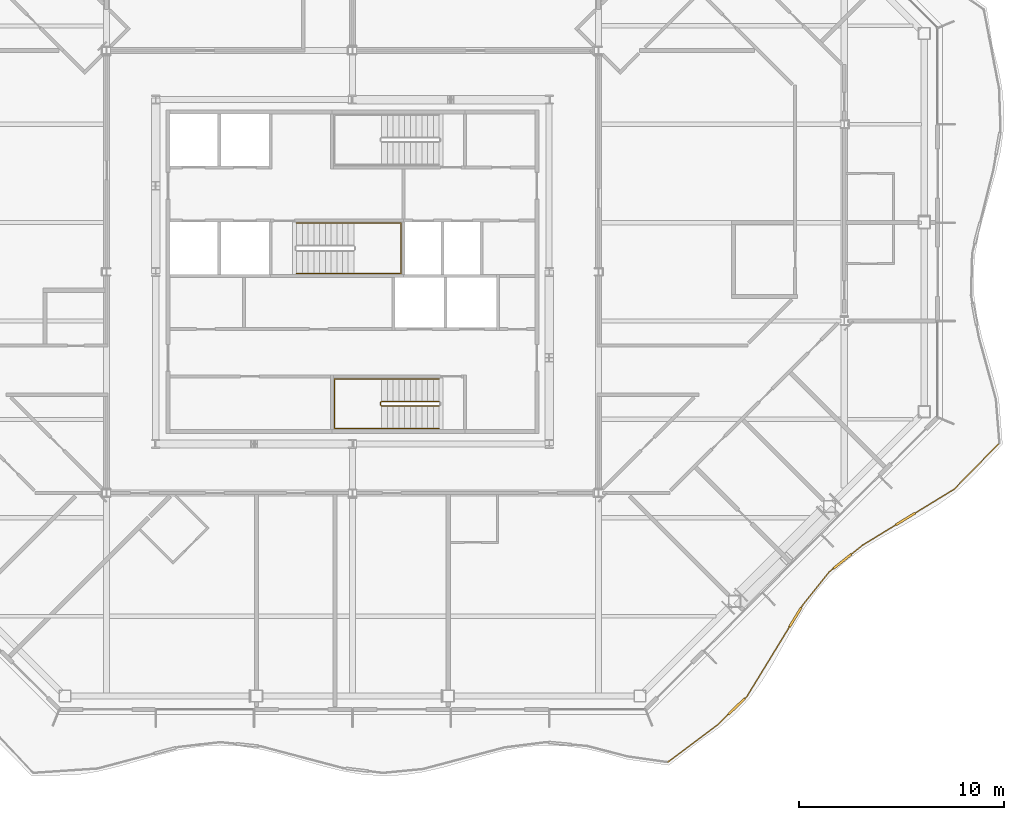
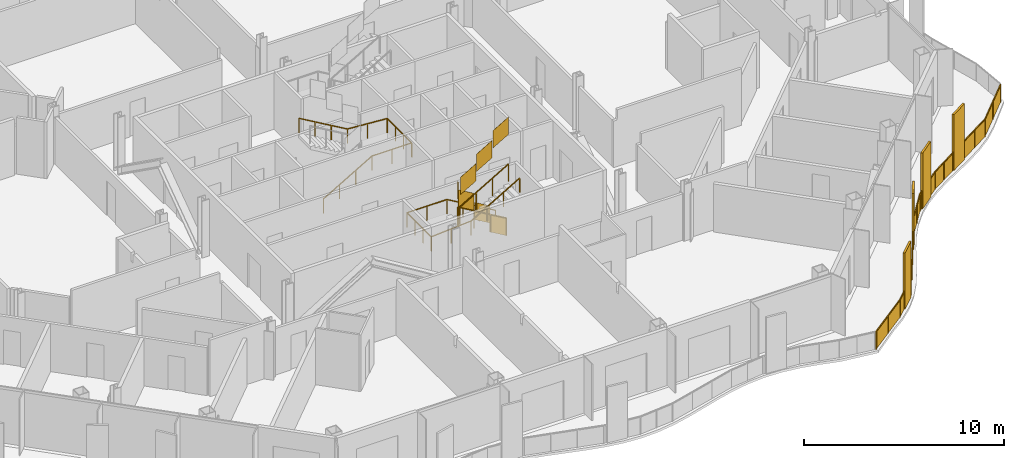
# One storey, part 18 of 21: 4 railings.
"""IFC4 building model written with IfcOpenShell, lengths in metres."""

import ifcopenshell
import ifcopenshell.guid

model = None  # the IFC model being written
_history = None  # IfcOwnerHistory: only IFC2X3 demands one
_inside = {}  # id of a spatial element -> (the spatial element, [elements in it])
_under = {}  # id of a project, library or spatial element -> (it, [spatial elements below it])
_declared = {}  # id of a project -> (the project, [libraries it declares])
_typed = {}  # id of a type object -> (the type object, [elements of that type])
_made_of = {}  # id of a material, layer set ... -> (it, [elements and type objects made of it])


def new_model(schema):
    """Start an empty IFC model of exactly this schema.

    Asked for "IFC4X3", IfcOpenShell would pick the latest addendum, in which some entities
    have other attributes; the version numbers below select the first issue.
    IFC2X3 requires an IfcOwnerHistory on every rooted entity: one is made here for all.
    """
    global model, _history
    if schema == "IFC4X3":
        model = ifcopenshell.file(schema_version=(4, 3, 0, 0))
    else:
        model = ifcopenshell.file(schema=schema)
    _inside.clear()
    _under.clear()
    _declared.clear()
    _typed.clear()
    _made_of.clear()
    _history = None
    if model.schema == "IFC2X3":
        org = make("IfcOrganization", Name="unknown")
        user = make(
            "IfcPersonAndOrganization",
            ThePerson=make("IfcPerson", FamilyName="unknown"),
            TheOrganization=org,
        )
        app = make(
            "IfcApplication",
            ApplicationDeveloper=org,
            Version="unknown",
            ApplicationFullName="unknown",
            ApplicationIdentifier="unknown",
        )
        _history = make(
            "IfcOwnerHistory",
            OwningUser=user,
            OwningApplication=app,
            ChangeAction="ADDED",
            CreationDate=0,
        )
    return model


def make(cls, **values):
    """One entity of the class cls with the attributes given. An attribute that is None is left unset."""
    return model.create_entity(
        cls, **{name: value for name, value in values.items() if value is not None}
    )


def rooted(cls, **values):
    """An entity with a GlobalId (a new one), such as an element, a storey or a relation."""
    return make(cls, GlobalId=ifcopenshell.guid.new(), OwnerHistory=_history, **values)


def si_unit(unit_type, name, prefix=None):
    """IfcSIUnit, for example si_unit("LENGTHUNIT", "METRE", prefix="MILLI")."""
    return make("IfcSIUnit", UnitType=unit_type, Prefix=prefix, Name=name)


def assignment(units):
    """IfcUnitAssignment: the units of a project."""
    return None if units is None else make("IfcUnitAssignment", Units=units)


def point(xyz):
    """IfcCartesianPoint."""
    return None if xyz is None else make("IfcCartesianPoint", Coordinates=xyz)


def direction(xyz):
    """IfcDirection."""
    return None if xyz is None else make("IfcDirection", DirectionRatios=xyz)


def frame(location, z_axis=None, x_axis=None):
    """IfcAxis2Placement3D, a coordinate frame: its origin and axes. An axis left out is left unset."""
    return make(
        "IfcAxis2Placement3D",
        Location=point(location),
        Axis=direction(z_axis),
        RefDirection=direction(x_axis),
    )


def frame_2d(location, x_axis=None):
    """IfcAxis2Placement2D, a coordinate frame in the plane: its origin and x axis."""
    return make(
        "IfcAxis2Placement2D", Location=point(location), RefDirection=direction(x_axis)
    )


def origin():
    """The frame at (0, 0, 0) with its axes left unset."""
    return frame((0.0, 0.0, 0.0))


def origin_2d():
    """The frame at (0, 0) in the plane with its x axis left unset."""
    return frame_2d((0.0, 0.0))


def place(relative_to, where):
    """IfcLocalPlacement: puts the frame where relative to a parent placement (None: the world)."""
    return make(
        "IfcLocalPlacement", PlacementRelTo=relative_to, RelativePlacement=where
    )


def context(
    kind, dimensions, precision=None, world=None, true_north=None, identifier=None
):
    """IfcGeometricRepresentationContext, for example the 3D "Model" context."""
    return make(
        "IfcGeometricRepresentationContext",
        ContextIdentifier=identifier,
        ContextType=kind,
        CoordinateSpaceDimension=dimensions,
        Precision=precision,
        WorldCoordinateSystem=world,
        TrueNorth=true_north,
    )


def subcontext(parent, identifier, kind, view, scale=None):
    """IfcGeometricRepresentationSubContext, for example "Body" below "Model"."""
    return make(
        "IfcGeometricRepresentationSubContext",
        ContextIdentifier=identifier,
        ContextType=kind,
        ParentContext=parent,
        TargetScale=scale,
        TargetView=view,
    )


def project(units=None, contexts=None):
    """IfcProject with its units and contexts."""
    return rooted(
        "IfcProject",
        Name="project",
        RepresentationContexts=contexts,
        UnitsInContext=assignment(units),
    )


def spatial(cls, under=None, at=None, **own):
    """A site, building, storey or space (cls), placed at a placement, below another one or the project."""
    s = rooted(cls, ObjectPlacement=at, **own)
    if under is not None:
        _under.setdefault(under.id(), (under, []))[1].append(s)
    return s


def polyline(points):
    """IfcPolyline through the points."""
    return make("IfcPolyline", Points=[point(p) for p in points])


def profile(cls, at=None, kind="AREA", **sizes):
    """A parametric profile (cls). Its sizes go by their IFC names, for example OverallWidth=200.0."""
    return make(cls, ProfileType=kind, Position=at, **sizes)


def rectangle(**sizes):
    """IfcRectangleProfileDef."""
    return profile("IfcRectangleProfileDef", **sizes)


def outline(outer, holes=None, kind="AREA"):
    """IfcArbitraryClosedProfileDef: a profile drawn as a closed curve; with holes, ...WithVoids."""
    if holes is None:
        return make("IfcArbitraryClosedProfileDef", ProfileType=kind, OuterCurve=outer)
    return make(
        "IfcArbitraryProfileDefWithVoids",
        ProfileType=kind,
        OuterCurve=outer,
        InnerCurves=holes,
    )


def extrude(swept, where, along, depth):
    """IfcExtrudedAreaSolid: the profile swept, set in the frame where, extruded along a direction by depth."""
    return make(
        "IfcExtrudedAreaSolid",
        SweptArea=swept,
        Position=where,
        ExtrudedDirection=direction(along),
        Depth=depth,
    )


def shape(context_of_items, identifier, shape_type, items):
    """IfcShapeRepresentation: the items that make up one representation, for example the "Body"."""
    return make(
        "IfcShapeRepresentation",
        ContextOfItems=context_of_items,
        RepresentationIdentifier=identifier,
        RepresentationType=shape_type,
        Items=items,
    )


def material(Name=None, Category=None):
    """IfcMaterial."""
    return make("IfcMaterial", Name=Name, Category=Category)


def made_of(thing, what):
    """Note that an element or type object is made of a material, layer set ...; save() writes the relation."""
    if what is not None:
        _made_of.setdefault(what.id(), (what, []))[1].append(thing)
    return thing


def type_object(cls, material=None, **own):
    """A type object (cls), such as IfcWallType, which elements share."""
    return made_of(rooted(cls, **own), material)


def element(
    cls,
    number,
    at=None,
    inside=None,
    cuts=None,
    type_object=None,
    material=None,
    context=None,
    identifier="Body",
    shape_type=None,
    held_by="IfcProductDefinitionShape",
    body=None,
    shapes=None,
    **own,
):
    """One element of the class cls, such as IfcWall. Its Tag is "e" and its number.

    at: its placement. inside: the storey or other place that contains it. cuts: it is an
    opening in that element (IfcRelVoidsElement). A single representation is given by context,
    identifier, shape_type and body (its items); several are given by shapes. held_by: the class
    of the entity that holds the representations. save() writes the other relations.
    """
    e = rooted(cls, Tag="e%d" % number, ObjectPlacement=at, **own)
    if body is not None:
        shapes = [shape(context, identifier, shape_type, body)]
    if shapes is not None:
        e.Representation = make(held_by, Representations=shapes)
    if inside is not None:
        _inside.setdefault(inside.id(), (inside, []))[1].append(e)
    if cuts is not None:
        rooted(
            "IfcRelVoidsElement", RelatingBuildingElement=cuts, RelatedOpeningElement=e
        )
    if type_object is not None:
        _typed.setdefault(type_object.id(), (type_object, []))[1].append(e)
    return made_of(e, material)


def aggregate(whole, parts):
    """IfcRelAggregates: a whole, such as a stair, and the parts it consists of."""
    return rooted("IfcRelAggregates", RelatingObject=whole, RelatedObjects=parts)


def save(model, path):
    """Write the relations noted so far, then the file.

    IfcRelAggregates (storeys below a building ...), IfcRelContainedInSpatialStructure (elements
    in a storey), IfcRelDefinesByType, IfcRelAssociatesMaterial and IfcRelDeclares: one each for
    every whole, place, type object, material and project.
    """
    for whole, parts in _under.values():
        aggregate(whole, parts)
    for where, things in _inside.values():
        rooted(
            "IfcRelContainedInSpatialStructure",
            RelatedElements=things,
            RelatingStructure=where,
        )
    for kind, things in _typed.values():
        rooted("IfcRelDefinesByType", RelatedObjects=things, RelatingType=kind)
    for what, things in _made_of.values():
        rooted("IfcRelAssociatesMaterial", RelatedObjects=things, RelatingMaterial=what)
    for by, libraries in _declared.values():
        rooted("IfcRelDeclares", RelatingContext=by, RelatedDefinitions=libraries)
    model.write(path)


model = new_model("IFC4")

# Units and contexts
model_context = context("Model", 3, precision=1e-05, world=origin(), true_north=direction((0.0, 1.0)))
body_context = subcontext(model_context, "Body", "Model", "MODEL_VIEW")
ifc_project = project(units=[si_unit("LENGTHUNIT", "METRE"), si_unit("AREAUNIT", "SQUARE_METRE"), si_unit("VOLUMEUNIT", "CUBIC_METRE"), si_unit("PLANEANGLEUNIT", "RADIAN"), si_unit("MASSUNIT", "GRAM", prefix="KILO")], contexts=[model_context])

# Site, building, storey
site_placement = place(None, origin())
site = spatial("IfcSite", under=ifc_project, at=site_placement, CompositionType="ELEMENT")
building_placement = place(site_placement, origin())
building = spatial("IfcBuilding", under=site, at=building_placement, Name="Cairn Pilgrim Tower", CompositionType="ELEMENT")
storey_placement = place(building_placement, frame((0.0, 0.0, 168.60009765625)))
storey = spatial("IfcBuildingStorey", under=building, at=storey_placement, Name="L42", CompositionType="ELEMENT", Elevation=168.60009765625)

# Railings
ifc_material_1 = material(Name="Bronze anodised aluminium rail, posts and fin screens with laminated glass infill", Category="aluminium")
railing_type_1 = type_object("IfcRailingType", Name="BALCONY GUARD WITH FIN SCREENS", PredefinedType="GUARDRAIL", material=ifc_material_1)
railing_1_placement = place(storey_placement, frame((22.587890625, -21.5244140625, 0.0)))
element("IfcRailing", 1, at=railing_1_placement, inside=storey, type_object=railing_type_1, Name="Balcony guard BGF-2 with fin screens", PredefinedType="GUARDRAIL", context=body_context, shape_type="SweptSolid", body=[
    extrude(rectangle(XDim=0.050048828125, YDim=0.050048828125, at=origin_2d()), frame((0.0, 0.0, 1.0751953125), z_axis=(0.800667870418, 0.599108472048, 0.0), x_axis=(-0.599108472048, 0.800667870418, 0.0)), (0.0, 0.0, 1.0), 3.0244140625),
    extrude(rectangle(XDim=1.10009765625, YDim=0.110107421875, at=origin_2d()), frame((3.361572265625, 2.7216796875, 0.0), z_axis=(0.0, 0.0, 1.0), x_axis=(0.718562940973, 0.695461932718, 0.0)), (0.0, 0.0, 1.0), 3.39990234375),
    extrude(rectangle(XDim=0.050048828125, YDim=0.050048828125, at=origin_2d()), frame((2.421630859375, 1.81201171875, 1.0751953125), z_axis=(0.718562940973, 0.695461932718, 0.0), x_axis=(-0.695461932718, 0.718562940973, 0.0)), (0.0, 0.0, 1.0), 0.758056640625),
    extrude(rectangle(XDim=0.050048828125, YDim=0.050048828125, at=origin_2d()), frame((3.7568359375, 3.104248046875, 1.0751953125), z_axis=(0.718562940973, 0.695461932718, 0.0), x_axis=(-0.695461932718, 0.718562940973, 0.0)), (0.0, 0.0, 1.0), 0.14990234375),
    extrude(rectangle(XDim=1.10009765625, YDim=0.110107421875, at=origin_2d()), frame((6.225341796875, 7.072265625, 0.0), z_axis=(0.0, 0.0, 1.0), x_axis=(0.521408450848, 0.853307229188, 0.0)), (0.0, 0.0, 1.0), 3.39990234375),
    extrude(rectangle(XDim=0.050048828125, YDim=0.050048828125, at=origin_2d()), frame((3.864501953125, 3.20849609375, 1.0751953125), z_axis=(0.521408450848, 0.853307229188, 0.0), x_axis=(-0.853307229188, 0.521408450848, 0.0)), (0.0, 0.0, 1.0), 3.977783203125),
    extrude(rectangle(XDim=0.050048828125, YDim=0.050048828125, at=origin_2d()), frame((6.51220703125, 7.54150390625, 1.0751953125), z_axis=(0.521408450848, 0.853307229188, 0.0), x_axis=(-0.853307229188, 0.521408450848, 0.0)), (0.0, 0.0, 1.0), 0.14990234375),
    extrude(rectangle(XDim=0.050048828125, YDim=0.050048828125, at=origin_2d()), frame((6.59033203125, 7.66943359375, 1.0751953125), z_axis=(0.624336311153, 0.781155663473, 0.0), x_axis=(-0.781155663473, 0.624336311153, 0.0)), (0.0, 0.0, 1.0), 2.0751953125),
    extrude(rectangle(XDim=1.10009765625, YDim=0.110107421875, at=origin_2d()), frame((8.52197265625, 9.798583984375, 0.0), z_axis=(0.0, 0.0, 1.0), x_axis=(0.781258883396, 0.624207142794, 0.0)), (0.0, 0.0, 1.0), 3.39990234375),
    extrude(rectangle(XDim=0.050048828125, YDim=0.050048828125, at=origin_2d()), frame((7.885986328125, 9.29052734375, 1.0751953125), z_axis=(0.781258883396, 0.624207142794, 0.0), x_axis=(-0.624207142794, 0.781258883396, 0.0)), (0.0, 0.0, 1.0), 0.263916015625),
    extrude(rectangle(XDim=0.050048828125, YDim=0.050048828125, at=origin_2d()), frame((8.95166015625, 10.141845703125, 1.0751953125), z_axis=(0.781258883396, 0.624207142794, 0.0), x_axis=(-0.624207142794, 0.781258883396, 0.0)), (0.0, 0.0, 1.0), 0.711181640625),
    extrude(rectangle(XDim=1.10009765625, YDim=0.110107421875, at=origin_2d()), frame((11.601806640625, 11.865966796875, 0.0), z_axis=(0.0, 0.0, 1.0), x_axis=(0.853278370774, 0.521455675939, 0.0)), (0.0, 0.0, 1.0), 3.39990234375),
    extrude(rectangle(XDim=0.050048828125, YDim=0.050048828125, at=origin_2d()), frame((9.50732421875, 10.5859375, 1.0751953125), z_axis=(0.853278370774, 0.521455675939, 0.0), x_axis=(-0.521455675939, 0.853278370774, 0.0)), (0.0, 0.0, 1.0), 1.904541015625),
    extrude(rectangle(XDim=0.050048828125, YDim=0.050048828125, at=origin_2d()), frame((12.071044921875, 12.15283203125, 1.0751953125), z_axis=(0.853278370774, 0.521455675939, 0.0), x_axis=(-0.521455675939, 0.853278370774, 0.0)), (0.0, 0.0, 1.0), 2.2236328125),
    extrude(rectangle(XDim=0.050048828125, YDim=0.050048828125, at=origin_2d()), frame((13.968505859375, 13.312255859375, 1.0751953125), z_axis=(0.699784755715, 0.71435376087, 0.0), x_axis=(-0.71435376087, 0.699784755715, 0.0)), (0.0, 0.0, 1.0), 3.10009765625),
    extrude(rectangle(XDim=0.050048828125, YDim=0.050048828125, at=origin_2d()), origin(), (0.0, 0.0, 1.0), 1.050048828125),
    extrude(rectangle(XDim=0.050048828125, YDim=0.050048828125, at=origin_2d()), frame((1.2109375, 0.906005859375, 0.0)), (0.0, 0.0, 1.0), 1.050048828125),
    extrude(rectangle(XDim=0.050048828125, YDim=0.050048828125, at=origin_2d()), frame((2.421630859375, 1.81201171875, 0.0)), (0.0, 0.0, 1.0), 1.050048828125),
    extrude(rectangle(XDim=0.050048828125, YDim=0.050048828125, at=origin_2d()), frame((2.948486328125, 2.32177734375, 0.0)), (0.0, 0.0, 1.0), 1.050048828125),
    extrude(rectangle(XDim=0.050048828125, YDim=0.050048828125, at=origin_2d()), frame((3.774658203125, 3.12158203125, 0.0)), (0.0, 0.0, 1.0), 1.050048828125),
    extrude(rectangle(XDim=0.050048828125, YDim=0.050048828125, at=origin_2d()), frame((3.864501953125, 3.20849609375, 0.0)), (0.0, 0.0, 1.0), 1.050048828125),
    extrude(rectangle(XDim=0.050048828125, YDim=0.050048828125, at=origin_2d()), frame((4.551513671875, 4.332763671875, 0.0)), (0.0, 0.0, 1.0), 1.050048828125),
    extrude(rectangle(XDim=0.050048828125, YDim=0.050048828125, at=origin_2d()), frame((5.238525390625, 5.457275390625, 0.0)), (0.0, 0.0, 1.0), 1.050048828125),
    extrude(rectangle(XDim=0.050048828125, YDim=0.050048828125, at=origin_2d()), frame((5.925537109375, 6.58154296875, 0.0)), (0.0, 0.0, 1.0), 1.050048828125),
    extrude(rectangle(XDim=0.050048828125, YDim=0.050048828125, at=origin_2d()), frame((6.525146484375, 7.562744140625, 0.0)), (0.0, 0.0, 1.0), 1.050048828125),
    extrude(rectangle(XDim=0.050048828125, YDim=0.050048828125, at=origin_2d()), frame((6.59033203125, 7.66943359375, 0.0)), (0.0, 0.0, 1.0), 1.050048828125),
    extrude(rectangle(XDim=0.050048828125, YDim=0.050048828125, at=origin_2d()), frame((7.23828125, 8.47998046875, 0.0)), (0.0, 0.0, 1.0), 1.050048828125),
    extrude(rectangle(XDim=0.050048828125, YDim=0.050048828125, at=origin_2d()), frame((7.885986328125, 9.29052734375, 0.0)), (0.0, 0.0, 1.0), 1.050048828125),
    extrude(rectangle(XDim=0.050048828125, YDim=0.050048828125, at=origin_2d()), frame((8.07275390625, 9.439697265625, 0.0)), (0.0, 0.0, 1.0), 1.050048828125),
    extrude(rectangle(XDim=0.050048828125, YDim=0.050048828125, at=origin_2d()), frame((8.97119140625, 10.157470703125, 0.0)), (0.0, 0.0, 1.0), 1.050048828125),
    extrude(rectangle(XDim=0.050048828125, YDim=0.050048828125, at=origin_2d()), frame((9.50732421875, 10.5859375, 0.0)), (0.0, 0.0, 1.0), 1.050048828125),
    extrude(rectangle(XDim=0.050048828125, YDim=0.050048828125, at=origin_2d()), frame((10.309326171875, 11.075927734375, 0.0)), (0.0, 0.0, 1.0), 1.050048828125),
    extrude(rectangle(XDim=0.050048828125, YDim=0.050048828125, at=origin_2d()), frame((11.111083984375, 11.566162109375, 0.0)), (0.0, 0.0, 1.0), 1.050048828125),
    extrude(rectangle(XDim=0.050048828125, YDim=0.050048828125, at=origin_2d()), frame((12.092529296875, 12.165771484375, 0.0)), (0.0, 0.0, 1.0), 1.050048828125),
    extrude(rectangle(XDim=0.050048828125, YDim=0.050048828125, at=origin_2d()), frame((13.030517578125, 12.739013671875, 0.0)), (0.0, 0.0, 1.0), 1.050048828125),
    extrude(rectangle(XDim=0.050048828125, YDim=0.050048828125, at=origin_2d()), frame((13.968505859375, 13.312255859375, 0.0)), (0.0, 0.0, 1.0), 1.050048828125),
    extrude(rectangle(XDim=0.050048828125, YDim=0.050048828125, at=origin_2d()), frame((15.05322265625, 14.41943359375, 0.0)), (0.0, 0.0, 1.0), 1.050048828125),
    extrude(rectangle(XDim=0.050048828125, YDim=0.050048828125, at=origin_2d()), frame((16.137939453125, 15.52685546875, 0.0)), (0.0, 0.0, 1.0), 1.050048828125),
    extrude(outline(polyline([(0.02490234375, 0.0), (1.4873046875, 0.0), (1.4873046875, 1.050048828125), (0.02490234375, 1.050048828125), (0.02490234375, 0.0)])), frame((-0.003662109375, 0.0048828125, 0.0), z_axis=(0.599108472048, -0.800667870418, 0.0), x_axis=(0.800667870418, 0.599108472048, 0.0)), (0.0, 0.0, 1.0), 0.011962890625),
    extrude(outline(polyline([(0.02490234375, 0.0), (1.4873046875, 0.0), (1.4873046875, 1.050048828125), (0.02490234375, 1.050048828125), (0.02490234375, 0.0)])), frame((1.207275390625, 0.910888671875, 0.0), z_axis=(0.599108472048, -0.800667870418, 0.0), x_axis=(0.800667870418, 0.599108472048, 0.0)), (0.0, 0.0, 1.0), 0.011962890625),
    extrude(outline(polyline([(0.02490234375, 0.0), (0.7080078125, 0.0), (0.7080078125, 1.050048828125), (0.02490234375, 1.050048828125), (0.02490234375, 0.0)])), frame((2.41748046875, 1.81640625, 0.0), z_axis=(0.695461932718, -0.718562940973, 0.0), x_axis=(0.718562940973, 0.695461932718, 0.0)), (0.0, 0.0, 1.0), 0.011962890625),
    extrude(outline(polyline([(0.02490234375, 0.0), (0.099853515625, 0.0), (0.099853515625, 1.050048828125), (0.02490234375, 1.050048828125), (0.02490234375, 0.0)])), frame((3.7705078125, 3.1259765625, 0.0), z_axis=(0.695461932718, -0.718562940973, 0.0), x_axis=(0.718562940973, 0.695461932718, 0.0)), (0.0, 0.0, 1.0), 0.011962890625),
    extrude(outline(polyline([(0.02490234375, 0.0), (1.29248046875, 0.0), (1.29248046875, 1.050048828125), (0.02490234375, 1.050048828125), (0.02490234375, 0.0)])), frame((3.859375, 3.211669921875, 0.0), z_axis=(0.853307229188, -0.521408450848, 0.0), x_axis=(0.521408450848, 0.853307229188, 0.0)), (0.0, 0.0, 1.0), 0.011962890625),
    extrude(outline(polyline([(0.02490234375, 0.0), (1.29248046875, 0.0), (1.29248046875, 1.050048828125), (0.02490234375, 1.050048828125), (0.02490234375, 0.0)])), frame((4.54638671875, 4.3359375, 0.0), z_axis=(0.853307229188, -0.521408450848, 0.0), x_axis=(0.521408450848, 0.853307229188, 0.0)), (0.0, 0.0, 1.0), 0.011962890625),
    extrude(outline(polyline([(0.02490234375, 0.0), (1.29248046875, 0.0), (1.29248046875, 1.050048828125), (0.02490234375, 1.050048828125), (0.02490234375, 0.0)])), frame((5.2333984375, 5.460205078125, 0.0), z_axis=(0.853307229188, -0.521408450848, 0.0), x_axis=(0.521408450848, 0.853307229188, 0.0)), (0.0, 0.0, 1.0), 0.011962890625),
    extrude(outline(polyline([(0.02490234375, 0.0), (0.099853515625, 0.0), (0.099853515625, 1.050048828125), (0.02490234375, 1.050048828125), (0.02490234375, 0.0)])), frame((6.52001953125, 7.56591796875, 0.0), z_axis=(0.853307229188, -0.521408450848, 0.0), x_axis=(0.521408450848, 0.853307229188, 0.0)), (0.0, 0.0, 1.0), 0.011962890625),
    extrude(outline(polyline([(0.02490234375, 0.0), (1.0126953125, 0.0), (1.0126953125, 1.050048828125), (0.02490234375, 1.050048828125), (0.02490234375, 0.0)])), frame((6.585693359375, 7.673095703125, 0.0), z_axis=(0.781155663473, -0.624336311153, 0.0), x_axis=(0.624336311153, 0.781155663473, 0.0)), (0.0, 0.0, 1.0), 0.011962890625),
    extrude(outline(polyline([(0.02490234375, 0.0), (1.0126953125, 0.0), (1.0126953125, 1.050048828125), (0.02490234375, 1.050048828125), (0.02490234375, 0.0)])), frame((7.2333984375, 8.483642578125, 0.0), z_axis=(0.781155663473, -0.624336311153, 0.0), x_axis=(0.624336311153, 0.781155663473, 0.0)), (0.0, 0.0, 1.0), 0.011962890625),
    extrude(outline(polyline([(0.02490234375, 0.0), (0.2138671875, 0.0), (0.2138671875, 1.050048828125), (0.02490234375, 1.050048828125), (0.02490234375, 0.0)])), frame((7.88232421875, 9.295166015625, 0.0), z_axis=(0.624207142794, -0.781258883396, 0.0), x_axis=(0.781258883396, 0.624207142794, 0.0)), (0.0, 0.0, 1.0), 0.011962890625),
    extrude(outline(polyline([(0.02490234375, 0.0), (0.6611328125, 0.0), (0.6611328125, 1.050048828125), (0.02490234375, 1.050048828125), (0.02490234375, 0.0)])), frame((8.967529296875, 10.162353515625, 0.0), z_axis=(0.624207142794, -0.781258883396, 0.0), x_axis=(0.781258883396, 0.624207142794, 0.0)), (0.0, 0.0, 1.0), 0.011962890625),
    extrude(outline(polyline([(0.02490234375, 0.0), (0.914794921875, 0.0), (0.914794921875, 1.050048828125), (0.02490234375, 1.050048828125), (0.02490234375, 0.0)])), frame((9.504150390625, 10.591064453125, 0.0), z_axis=(0.521455675939, -0.853278370774, 0.0), x_axis=(0.853278370774, 0.521455675939, 0.0)), (0.0, 0.0, 1.0), 0.011962890625),
    extrude(outline(polyline([(0.02490234375, 0.0), (0.914794921875, 0.0), (0.914794921875, 1.050048828125), (0.02490234375, 1.050048828125), (0.02490234375, 0.0)])), frame((10.30615234375, 11.0810546875, 0.0), z_axis=(0.521455675939, -0.853278370774, 0.0), x_axis=(0.853278370774, 0.521455675939, 0.0)), (0.0, 0.0, 1.0), 0.011962890625),
    extrude(outline(polyline([(0.02490234375, 0.0), (1.07421875, 0.0), (1.07421875, 1.050048828125), (0.02490234375, 1.050048828125), (0.02490234375, 0.0)])), frame((12.08935546875, 12.1708984375, 0.0), z_axis=(0.521455675939, -0.853278370774, 0.0), x_axis=(0.853278370774, 0.521455675939, 0.0)), (0.0, 0.0, 1.0), 0.011962890625),
    extrude(outline(polyline([(0.02490234375, 0.0), (1.07421875, 0.0), (1.07421875, 1.050048828125), (0.02490234375, 1.050048828125), (0.02490234375, 0.0)])), frame((13.02734375, 12.744140625, 0.0), z_axis=(0.521455675939, -0.853278370774, 0.0), x_axis=(0.853278370774, 0.521455675939, 0.0)), (0.0, 0.0, 1.0), 0.011962890625),
    extrude(outline(polyline([(0.02490234375, 0.0), (1.525146484375, 0.0), (1.525146484375, 1.050048828125), (0.02490234375, 1.050048828125), (0.02490234375, 0.0)])), frame((13.964111328125, 13.31640625, 0.0), z_axis=(0.71435376087, -0.699784755715, 0.0), x_axis=(0.699784755715, 0.71435376087, 0.0)), (0.0, 0.0, 1.0), 0.011962890625),
    extrude(outline(polyline([(0.02490234375, 0.0), (1.525146484375, 0.0), (1.525146484375, 1.050048828125), (0.02490234375, 1.050048828125), (0.02490234375, 0.0)])), frame((15.048828125, 14.423828125, 0.0), z_axis=(0.71435376087, -0.699784755715, 0.0), x_axis=(0.699784755715, 0.71435376087, 0.0)), (0.0, 0.0, 1.0), 0.011962890625),
])
ifc_material_2 = material(Name="Painted steel", Category="steel")
railing_type_2 = type_object("IfcRailingType", Name="STAIR GUARD 1100", PredefinedType="GUARDRAIL", material=ifc_material_2)
railing_2_placement = place(storey_placement, frame((11.425048828125, -3.925048828125, 0.16357421875)))
element("IfcRailing", 2, at=railing_2_placement, inside=storey, type_object=railing_type_2, Name="L42 ST-A stair guard 1", PredefinedType="GUARDRAIL", context=body_context, shape_type="SweptSolid", body=[
    extrude(rectangle(XDim=0.048095703125, YDim=0.048095703125, at=origin_2d()), frame((0.0, 0.0, 1.076171875), z_axis=(-0.863393664356, 0.0, 0.504530851732), x_axis=(0.0, -1.0, 0.0)), (0.0, 0.0, 1.0), 3.2431640625),
    extrude(rectangle(XDim=0.048095703125, YDim=0.048095703125, at=origin_2d()), frame((-2.800048828125, 0.0, 2.71240234375), z_axis=(-0.707106781187, -0.707106781187, 0.0), x_axis=(0.707106781187, -0.707106781187, 0.0)), (0.0, 0.0, 1.0), 0.07080078125),
    extrude(rectangle(XDim=0.048095703125, YDim=0.048095703125, at=origin_2d()), frame((-2.85009765625, -0.050048828125, 2.71240234375), z_axis=(0.0, -1.0, 0.0), x_axis=(1.0, 0.0, 0.0)), (0.0, 0.0, 1.0), 0.125),
    extrude(rectangle(XDim=0.048095703125, YDim=0.048095703125, at=origin_2d()), frame((-2.85009765625, -0.175048828125, 2.71240234375), z_axis=(0.280563532951, -0.279194930351, 0.91833234444), x_axis=(0.705375805398, 0.708833529934, 0.0)), (0.0, 0.0, 1.0), 0.178466796875),
    extrude(rectangle(XDim=0.048095703125, YDim=0.048095703125, at=origin_2d()), frame((-2.800048828125, -0.224853515625, 2.8759765625), z_axis=(0.863393664356, 0.0, 0.504530851732), x_axis=(0.0, 1.0, 0.0)), (0.0, 0.0, 1.0), 3.2431640625),
    extrude(rectangle(XDim=0.0419921875, YDim=0.0419921875, at=origin_2d()), origin(), (0.0, 0.0, 1.0), 1.052001953125),
    extrude(rectangle(XDim=0.0419921875, YDim=0.0419921875, at=origin_2d()), frame((-0.933349609375, 0.0, 0.54541015625)), (0.0, 0.0, 1.0), 1.052001953125),
    extrude(rectangle(XDim=0.0419921875, YDim=0.0419921875, at=origin_2d()), frame((-1.86669921875, 0.0, 1.0908203125)), (0.0, 0.0, 1.0), 1.052001953125),
    extrude(rectangle(XDim=0.0419921875, YDim=0.0419921875, at=origin_2d()), frame((-2.800048828125, 0.0, 1.63623046875)), (0.0, 0.0, 1.0), 1.052001953125),
    extrude(rectangle(XDim=0.0419921875, YDim=0.0419921875, at=origin_2d()), frame((-2.85009765625, -0.050048828125, 1.63623046875)), (0.0, 0.0, 1.0), 1.052001953125),
    extrude(rectangle(XDim=0.0419921875, YDim=0.0419921875, at=origin_2d()), frame((-2.85009765625, -0.175048828125, 1.63623046875)), (0.0, 0.0, 1.0), 1.052001953125),
    extrude(rectangle(XDim=0.0419921875, YDim=0.0419921875, at=origin_2d()), frame((-2.800048828125, -0.224853515625, 1.800048828125)), (0.0, 0.0, 1.0), 1.052001953125),
    extrude(rectangle(XDim=0.0419921875, YDim=0.0419921875, at=origin_2d()), frame((-1.86669921875, -0.224853515625, 2.345458984375)), (0.0, 0.0, 1.0), 1.052001953125),
    extrude(rectangle(XDim=0.0419921875, YDim=0.0419921875, at=origin_2d()), frame((-0.933349609375, -0.224853515625, 2.890869140625)), (0.0, 0.0, 1.0), 1.052001953125),
    extrude(rectangle(XDim=0.0419921875, YDim=0.0419921875, at=origin_2d()), frame((0.0, -0.224853515625, 3.436279296875)), (0.0, 0.0, 1.0), 1.052001953125),
    extrude(outline(polyline([(0.02099609375, 0.01220703125), (0.912353515625, 0.533203125), (0.912353515625, 1.585205078125), (0.02099609375, 1.064208984375), (0.02099609375, 0.01220703125)])), frame((0.0, -0.005859375, 0.0), z_axis=(0.0, 1.0, 0.0), x_axis=(-1.0, 0.0, 0.0)), (0.0, 0.0, 1.0), 0.011962890625),
    extrude(outline(polyline([(0.02099609375, 0.5576171875), (0.912353515625, 1.07861328125), (0.912353515625, 2.130615234375), (0.02099609375, 1.609619140625), (0.02099609375, 0.5576171875)])), frame((-0.933349609375, -0.005859375, 0.54541015625), z_axis=(0.0, 1.0, 0.0), x_axis=(-1.0, 0.0, 0.0)), (0.0, 0.0, 1.0), 0.011962890625),
    extrude(outline(polyline([(0.02099609375, 1.10302734375), (0.912353515625, 1.6240234375), (0.912353515625, 2.676025390625), (0.02099609375, 2.155029296875), (0.02099609375, 1.10302734375)])), frame((-1.86669921875, -0.005859375, 1.0908203125), z_axis=(0.0, 1.0, 0.0), x_axis=(-1.0, 0.0, 0.0)), (0.0, 0.0, 1.0), 0.011962890625),
    extrude(outline(polyline([(0.02099609375, 1.63623046875), (0.10400390625, 1.63623046875), (0.10400390625, 2.688232421875), (0.02099609375, 2.688232421875), (0.02099609375, 1.63623046875)])), frame((-2.84423828125, -0.050048828125, 1.63623046875), z_axis=(-1.0, 0.0, 0.0), x_axis=(0.0, -1.0, 0.0)), (0.0, 0.0, 1.0), 0.011962890625),
    extrude(outline(polyline([(0.02099609375, 1.812255859375), (0.912353515625, 2.333251953125), (0.912353515625, 3.38525390625), (0.02099609375, 2.8642578125), (0.02099609375, 1.812255859375)])), frame((-2.800048828125, -0.21875, 1.800048828125), z_axis=(0.0, -1.0, 0.0), x_axis=(1.0, 0.0, 0.0)), (0.0, 0.0, 1.0), 0.011962890625),
    extrude(outline(polyline([(0.02099609375, 2.357666015625), (0.912353515625, 2.878662109375), (0.912353515625, 3.9306640625), (0.02099609375, 3.40966796875), (0.02099609375, 2.357666015625)])), frame((-1.86669921875, -0.21875, 2.345458984375), z_axis=(0.0, -1.0, 0.0), x_axis=(1.0, 0.0, 0.0)), (0.0, 0.0, 1.0), 0.011962890625),
    extrude(outline(polyline([(0.02099609375, 2.903076171875), (0.912353515625, 3.424072265625), (0.912353515625, 4.47607421875), (0.02099609375, 3.955078125), (0.02099609375, 2.903076171875)])), frame((-0.933349609375, -0.21875, 2.890869140625), z_axis=(0.0, -1.0, 0.0), x_axis=(1.0, 0.0, 0.0)), (0.0, 0.0, 1.0), 0.011962890625),
])
railing_type_3 = type_object("IfcRailingType", Name="STAIR HANDRAIL 900", PredefinedType="HANDRAIL", material=ifc_material_2)
railing_3_placement = place(storey_placement, frame((11.425048828125, -2.824951171875, 0.16357421875)))
element("IfcRailing", 3, at=railing_3_placement, inside=storey, type_object=railing_type_3, Name="L42 ST-A stair handrail 1", PredefinedType="HANDRAIL", context=body_context, shape_type="SweptSolid", body=[
    extrude(rectangle(XDim=0.048095703125, YDim=0.048095703125, at=origin_2d()), frame((0.0, 0.0, 0.8759765625), z_axis=(-0.863393664356, 0.0, 0.504530851732), x_axis=(0.0, -1.0, 0.0)), (0.0, 0.0, 1.0), 3.2431640625),
    extrude(rectangle(XDim=0.048095703125, YDim=0.048095703125, at=origin_2d()), frame((-2.800048828125, 0.0, 2.51220703125), z_axis=(-1.0, 0.0, 0.0), x_axis=(0.0, -1.0, 0.0)), (0.0, 0.0, 1.0), 2.300048828125),
    extrude(rectangle(XDim=0.048095703125, YDim=0.048095703125, at=origin_2d()), frame((-5.10009765625, 0.0, 2.51220703125), z_axis=(0.0, -1.0, 0.0), x_axis=(1.0, 0.0, 0.0)), (0.0, 0.0, 1.0), 2.425048828125),
    extrude(rectangle(XDim=0.048095703125, YDim=0.048095703125, at=origin_2d()), frame((-5.10009765625, -2.425048828125, 2.51220703125), z_axis=(0.99747319029, 0.0, 0.071043892441), x_axis=(0.0, 1.0, 0.0)), (0.0, 0.0, 1.0), 2.305908203125),
    extrude(rectangle(XDim=0.048095703125, YDim=0.048095703125, at=origin_2d()), frame((-2.800048828125, -2.425048828125, 2.67578125), z_axis=(0.863393664356, 0.0, 0.504530851732), x_axis=(0.0, 1.0, 0.0)), (0.0, 0.0, 1.0), 3.2431640625),
    extrude(rectangle(XDim=0.0419921875, YDim=0.0419921875, at=origin_2d()), origin(), (0.0, 0.0, 1.0), 0.851806640625),
    extrude(rectangle(XDim=0.0419921875, YDim=0.0419921875, at=origin_2d()), frame((-0.933349609375, 0.0, 0.54541015625)), (0.0, 0.0, 1.0), 0.851806640625),
    extrude(rectangle(XDim=0.0419921875, YDim=0.0419921875, at=origin_2d()), frame((-1.86669921875, 0.0, 1.0908203125)), (0.0, 0.0, 1.0), 0.851806640625),
    extrude(rectangle(XDim=0.0419921875, YDim=0.0419921875, at=origin_2d()), frame((-2.800048828125, 0.0, 1.63623046875)), (0.0, 0.0, 1.0), 0.851806640625),
    extrude(rectangle(XDim=0.0419921875, YDim=0.0419921875, at=origin_2d()), frame((-3.9501953125, 0.0, 1.63623046875)), (0.0, 0.0, 1.0), 0.851806640625),
    extrude(rectangle(XDim=0.0419921875, YDim=0.0419921875, at=origin_2d()), frame((-5.10009765625, 0.0, 1.63623046875)), (0.0, 0.0, 1.0), 0.851806640625),
    extrude(rectangle(XDim=0.0419921875, YDim=0.0419921875, at=origin_2d()), frame((-5.10009765625, -0.808349609375, 1.63623046875)), (0.0, 0.0, 1.0), 0.851806640625),
    extrude(rectangle(XDim=0.0419921875, YDim=0.0419921875, at=origin_2d()), frame((-5.10009765625, -1.61669921875, 1.63623046875)), (0.0, 0.0, 1.0), 0.851806640625),
    extrude(rectangle(XDim=0.0419921875, YDim=0.0419921875, at=origin_2d()), frame((-5.10009765625, -2.425048828125, 1.63623046875)), (0.0, 0.0, 1.0), 0.851806640625),
    extrude(rectangle(XDim=0.0419921875, YDim=0.0419921875, at=origin_2d()), frame((-3.9501953125, -2.425048828125, 1.71826171875)), (0.0, 0.0, 1.0), 0.851806640625),
    extrude(rectangle(XDim=0.0419921875, YDim=0.0419921875, at=origin_2d()), frame((-2.800048828125, -2.425048828125, 1.800048828125)), (0.0, 0.0, 1.0), 0.851806640625),
    extrude(rectangle(XDim=0.0419921875, YDim=0.0419921875, at=origin_2d()), frame((-1.86669921875, -2.425048828125, 2.345458984375)), (0.0, 0.0, 1.0), 0.851806640625),
    extrude(rectangle(XDim=0.0419921875, YDim=0.0419921875, at=origin_2d()), frame((-0.933349609375, -2.425048828125, 2.890869140625)), (0.0, 0.0, 1.0), 0.851806640625),
    extrude(rectangle(XDim=0.0419921875, YDim=0.0419921875, at=origin_2d()), frame((0.0, -2.425048828125, 3.436279296875)), (0.0, 0.0, 1.0), 0.851806640625),
])
railing_4_placement = place(storey_placement, frame((4.47509765625, 2.324951171875, 0.16357421875)))
element("IfcRailing", 4, at=railing_4_placement, inside=storey, type_object=railing_type_3, Name="L42 ST-B stair handrail 1", PredefinedType="HANDRAIL", context=body_context, shape_type="SweptSolid", body=[
    extrude(rectangle(XDim=0.048095703125, YDim=0.048095703125, at=origin_2d()), frame((0.0, 0.0, 0.8759765625), z_axis=(0.863374499697, 0.0, 0.504563646405), x_axis=(0.0, 1.0, 0.0)), (0.0, 0.0, 1.0), 3.242919921875),
    extrude(rectangle(XDim=0.048095703125, YDim=0.048095703125, at=origin_2d()), frame((2.7998046875, 0.0, 2.51220703125), z_axis=(1.0, 0.0, 0.0), x_axis=(0.0, 1.0, 0.0)), (0.0, 0.0, 1.0), 2.300048828125),
    extrude(rectangle(XDim=0.048095703125, YDim=0.048095703125, at=origin_2d()), frame((5.099853515625, 0.0, 2.51220703125), z_axis=(0.0, 1.0, 0.0), x_axis=(-1.0, 0.0, 0.0)), (0.0, 0.0, 1.0), 2.449951171875),
    extrude(rectangle(XDim=0.048095703125, YDim=0.048095703125, at=origin_2d()), frame((5.099853515625, 2.449951171875, 2.51220703125), z_axis=(-0.99747319029, 0.0, 0.071043892441), x_axis=(0.0, -1.0, 0.0)), (0.0, 0.0, 1.0), 2.305908203125),
    extrude(rectangle(XDim=0.048095703125, YDim=0.048095703125, at=origin_2d()), frame((2.7998046875, 2.449951171875, 2.67578125), z_axis=(-0.863374499697, 0.0, 0.504563646405), x_axis=(0.0, -1.0, 0.0)), (0.0, 0.0, 1.0), 3.242919921875),
    extrude(rectangle(XDim=0.0419921875, YDim=0.0419921875, at=origin_2d()), origin(), (0.0, 0.0, 1.0), 0.851806640625),
    extrude(rectangle(XDim=0.0419921875, YDim=0.0419921875, at=origin_2d()), frame((0.933349609375, 0.0, 0.54541015625)), (0.0, 0.0, 1.0), 0.851806640625),
    extrude(rectangle(XDim=0.0419921875, YDim=0.0419921875, at=origin_2d()), frame((1.866455078125, 0.0, 1.0908203125)), (0.0, 0.0, 1.0), 0.851806640625),
    extrude(rectangle(XDim=0.0419921875, YDim=0.0419921875, at=origin_2d()), frame((2.7998046875, 0.0, 1.63623046875)), (0.0, 0.0, 1.0), 0.851806640625),
    extrude(rectangle(XDim=0.0419921875, YDim=0.0419921875, at=origin_2d()), frame((3.94970703125, 0.0, 1.63623046875)), (0.0, 0.0, 1.0), 0.851806640625),
    extrude(rectangle(XDim=0.0419921875, YDim=0.0419921875, at=origin_2d()), frame((5.099853515625, 0.0, 1.63623046875)), (0.0, 0.0, 1.0), 0.851806640625),
    extrude(rectangle(XDim=0.0419921875, YDim=0.0419921875, at=origin_2d()), frame((5.099853515625, 0.816650390625, 1.63623046875)), (0.0, 0.0, 1.0), 0.851806640625),
    extrude(rectangle(XDim=0.0419921875, YDim=0.0419921875, at=origin_2d()), frame((5.099853515625, 1.63330078125, 1.63623046875)), (0.0, 0.0, 1.0), 0.851806640625),
    extrude(rectangle(XDim=0.0419921875, YDim=0.0419921875, at=origin_2d()), frame((5.099853515625, 2.449951171875, 1.63623046875)), (0.0, 0.0, 1.0), 0.851806640625),
    extrude(rectangle(XDim=0.0419921875, YDim=0.0419921875, at=origin_2d()), frame((3.94970703125, 2.449951171875, 1.71826171875)), (0.0, 0.0, 1.0), 0.851806640625),
    extrude(rectangle(XDim=0.0419921875, YDim=0.0419921875, at=origin_2d()), frame((2.7998046875, 2.449951171875, 1.800048828125)), (0.0, 0.0, 1.0), 0.851806640625),
    extrude(rectangle(XDim=0.0419921875, YDim=0.0419921875, at=origin_2d()), frame((1.866455078125, 2.449951171875, 2.345458984375)), (0.0, 0.0, 1.0), 0.851806640625),
    extrude(rectangle(XDim=0.0419921875, YDim=0.0419921875, at=origin_2d()), frame((0.933349609375, 2.449951171875, 2.890869140625)), (0.0, 0.0, 1.0), 0.851806640625),
    extrude(rectangle(XDim=0.0419921875, YDim=0.0419921875, at=origin_2d()), frame((0.0, 2.449951171875, 3.436279296875)), (0.0, 0.0, 1.0), 0.851806640625),
])

save(model, "model.ifc")
